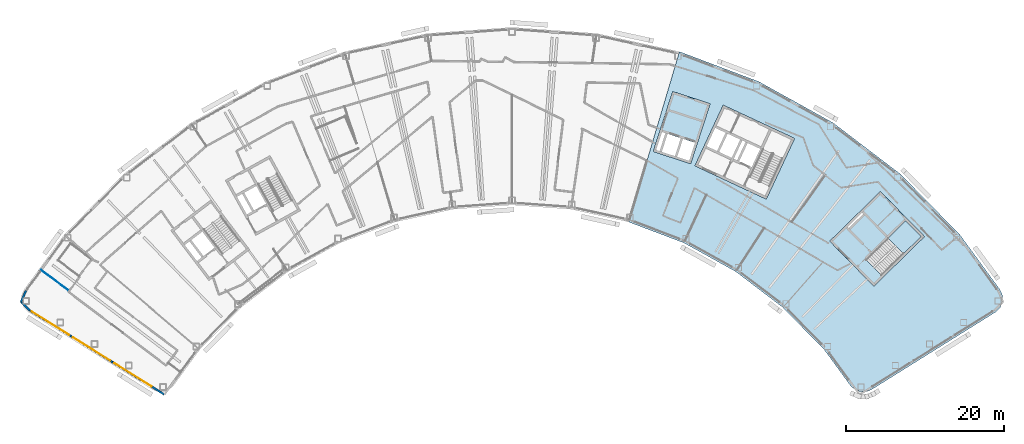
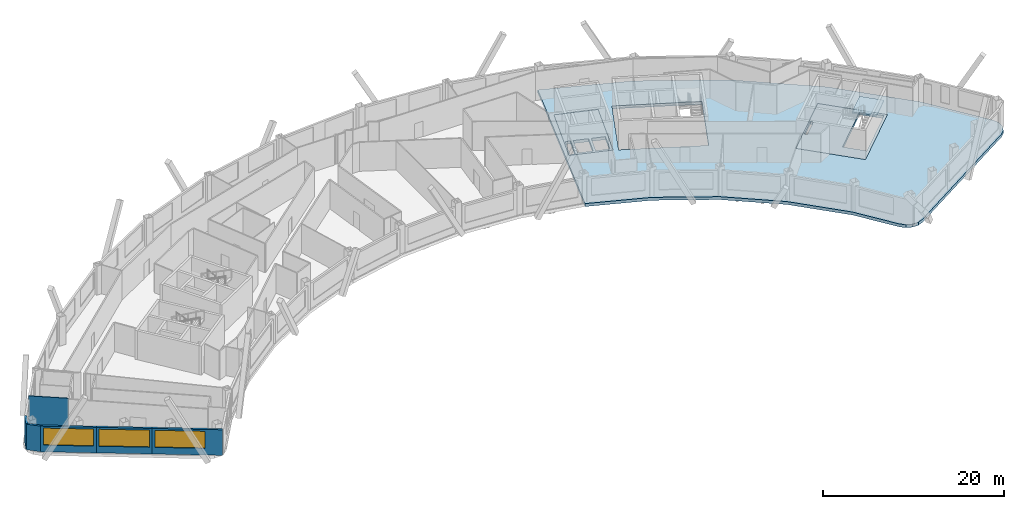
# One storey, part 4 of 13: 6 walls, 4 slabs, 3 windows, 3 openings, 1 element without a shape of its own.
"""IFC4 building model written with IfcOpenShell, lengths in metres."""

from ifc_helpers import new_model, si_unit, direction, frame, frame_2d, origin, place, context, subcontext, project, spatial, polyline, rectangle, outline, extrude, material, layer, layer_set, type_object, element, fill, aggregate, save


model = new_model("IFC4")

# Units and contexts
model_context = context("Model", 3, precision=1e-05, world=origin(), true_north=direction((0.0, 1.0)))
body_context = subcontext(model_context, "Body", "Model", "MODEL_VIEW")
ifc_project = project(units=[si_unit("LENGTHUNIT", "METRE"), si_unit("AREAUNIT", "SQUARE_METRE"), si_unit("VOLUMEUNIT", "CUBIC_METRE"), si_unit("PLANEANGLEUNIT", "RADIAN"), si_unit("MASSUNIT", "GRAM", prefix="KILO")], contexts=[model_context])

# Site, building, storey
site_placement = place(None, origin())
site = spatial("IfcSite", under=ifc_project, at=site_placement, CompositionType="ELEMENT")
building_placement = place(site_placement, origin())
building = spatial("IfcBuilding", under=site, at=building_placement, Name="Tuul Gate Civic Tower", CompositionType="ELEMENT")
storey_placement = place(building_placement, frame((0.0, 0.0, 319.699951171875)))
storey = spatial("IfcBuildingStorey", under=building, at=storey_placement, Name="Level 72", CompositionType="ELEMENT", Elevation=319.699951171875)

# Slabs
ifc_material_1 = material(Name="Concrete C40/50", Category="concrete")
ifc_layer_1 = layer(ifc_material_1, 0.39990234375)
ifc_layer_set_1 = layer_set([ifc_layer_1], Name="Concrete C40/50")
slab_type_1 = type_object("IfcSlabType", Name="Core floor slab 400", PredefinedType="FLOOR", material=ifc_layer_set_1)
slab_1_placement = place(storey_placement, frame((0.0, 0.0, -0.400146484375)))
element("IfcSlab", 1, at=slab_1_placement, inside=storey, type_object=slab_type_1, Name="FLOOR SLAB", PredefinedType="FLOOR", context=body_context, shape_type="SweptSolid", body=[
    extrude(outline(polyline([(48.117919921875, -18.43310546875), (54.545166015625, -12.1328125), (48.945068359375, -6.419921875), (42.517822265625, -12.719970703125), (48.117919921875, -18.43310546875)]), holes=[polyline([(44.93896484375, -11.046875), (46.760009765625, -9.261962890625), (46.514892578125, -9.011962890625), (44.69384765625, -10.797119140625), (44.93896484375, -11.046875)]), polyline([(49.086181640625, -17.062744140625), (47.12744140625, -15.064208984375), (52.160888671875, -10.130126953125), (54.11962890625, -12.128662109375), (49.086181640625, -17.062744140625)])]), origin(), (0.0, 0.0, 1.0), 0.400146484375),
])
ifc_material_2 = material(Name="Concrete C40/50", Category="concrete")
ifc_layer_2 = layer(ifc_material_2, 0.39990234375)
ifc_layer_set_2 = layer_set([ifc_layer_2], Name="Concrete C40/50")
slab_type_2 = type_object("IfcSlabType", Name="Core floor slab 400 non-bearing", PredefinedType="FLOOR", material=ifc_layer_set_2)
slab_2_placement = place(storey_placement, frame((0.0, 0.0, -0.400146484375)))
element("IfcSlab", 2, at=slab_2_placement, inside=storey, type_object=slab_type_2, Name="FLOOR SLAB", PredefinedType="FLOOR", context=body_context, shape_type="SweptSolid", body=[
    extrude(outline(polyline([(24.864990234375, -2.888916015625), (27.337890625, 4.71923828125), (22.58251953125, 6.264404296875), (20.109619140625, -1.343994140625), (24.864990234375, -2.888916015625)]), holes=[polyline([(24.67236328125, -2.510986328125), (25.414306640625, -0.228515625), (23.892578125, 0.265869140625), (23.150634765625, -2.0166015625), (24.67236328125, -2.510986328125)]), polyline([(22.865478515625, -1.923828125), (23.607177734375, 0.358642578125), (21.94287109375, 0.8994140625), (21.201171875, -1.383056640625), (22.865478515625, -1.923828125)]), polyline([(20.869384765625, -1.43310546875), (21.65771484375, 0.9921875), (21.0869140625, 1.177490234375), (20.298583984375, -1.24755859375), (20.869384765625, -1.43310546875)])]), origin(), (0.0, 0.0, 1.0), 0.400146484375),
])

# Stair, slab
ifc_material_3 = material(Name="Concrete C40/50", Category="concrete")
stair_type = type_object("IfcStairType", Name="Exit stair", PredefinedType="HALF_TURN_STAIR", material=ifc_material_3)
stair_placement = place(storey_placement, origin())
stair = element("IfcStair", 3, at=stair_placement, inside=storey, type_object=stair_type, Name="Level 72 ST-3", PredefinedType="HALF_TURN_STAIR")
ifc_material_4 = material(Name="Concrete C40/50", Category="concrete")
ifc_layer_3 = layer(ifc_material_4, 0.199951171875)
ifc_layer_set_3 = layer_set([ifc_layer_3], Name="Concrete C40/50")
slab_type_3 = type_object("IfcSlabType", Name="Exit stair landing", PredefinedType="LANDING", material=ifc_layer_set_3)
slab_3_placement = place(storey_placement, frame((0.0, 0.0, 1.900146484375)))
slab_3 = element("IfcSlab", 4, at=slab_3_placement, type_object=slab_type_3, Name="ST-3 landing 1", PredefinedType="LANDING", context=body_context, shape_type="SweptSolid", body=[
    extrude(outline(polyline([(51.871337890625, -14.3349609375), (49.91015625, -12.334228515625), (52.160888671875, -10.1279296875), (54.1220703125, -12.128662109375), (51.871337890625, -14.3349609375)])), origin(), (0.0, 0.0, 1.0), 0.199951171875),
])
aggregate(stair, [slab_3])

# Slab
ifc_material_5 = material(Name="Concrete C35/45", Category="concrete")
ifc_layer_4 = layer(ifc_material_5, 0.39990234375)
ifc_layer_set_4 = layer_set([ifc_layer_4], Name="Concrete C35/45")
slab_type_4 = type_object("IfcSlabType", Name="STR-FLOOR-SLAB-400", PredefinedType="FLOOR", material=ifc_layer_set_4)
slab_4_placement = place(storey_placement, frame((0.0, 0.0, -0.400146484375)))
element("IfcSlab", 5, at=slab_4_placement, inside=storey, type_object=slab_type_4, Name="Level 72/slab/E", PredefinedType="FLOOR", context=body_context, shape_type="SweptSolid", body=[
    extrude(outline(polyline([(47.1240234375, -31.830078125), (47.818115234375, -31.56005859375), (63.548095703125, -21.73095703125), (64.136962890625, -21.1669921875), (64.451904296875, -20.4140625), (64.43994140625, -19.597900390625), (64.10302734375, -18.85498046875), (59.02294921875, -11.89892578125), (51.488037109375, -4.2119140625), (42.923095703125, 2.30908203125), (33.509033203125, 7.528076171875), (23.43994140625, 11.3349609375), (17.006103515625, -10.287109375), (24.02587890625, -12.94189453125), (30.590087890625, -16.580078125), (36.56103515625, -21.1259765625), (41.81396484375, -26.486083984375), (45.14306640625, -31.0439453125), (45.68701171875, -31.552978515625), (46.37890625, -31.827880859375), (47.1240234375, -31.830078125)]), holes=[polyline([(48.117919921875, -18.43310546875), (42.51806640625, -12.719970703125), (48.945068359375, -6.419921875), (54.544921875, -12.133056640625), (48.117919921875, -18.43310546875)]), polyline([(25.402099609375, -3.159912109375), (28.993896484375, 4.5439453125), (38.056884765625, 0.318115234375), (34.465087890625, -7.385986328125), (25.402099609375, -3.159912109375)]), polyline([(20.110107421875, -1.343994140625), (22.58203125, 6.264892578125), (27.337890625, 4.719970703125), (24.864990234375, -2.888916015625), (20.110107421875, -1.343994140625)])]), origin(), (0.0, 0.0, 1.0), 0.400146484375),
])

# Walls
ifc_material_6 = material(Name="Precast concrete C40/50", Category="concrete")
ifc_layer_5 = layer(ifc_material_6, 0.25)
ifc_layer_set_5 = layer_set([ifc_layer_5], Name="Precast concrete C40/50")
wall_type_1 = type_object("IfcWallType", Name="External wall", PredefinedType="STANDARD", material=ifc_layer_set_5)
wall_1_placement = place(storey_placement, frame((-59.484130859375, -18.99560546875, 0.0), z_axis=(0.0, 0.0, 1.0), x_axis=(-0.413463423134, -0.910520728886, 0.0)))
element("IfcWall", 6, at=wall_1_placement, inside=storey, type_object=wall_type_1, Name="External wall", PredefinedType="STANDARD", context=body_context, shape_type="SweptSolid", body=[
    extrude(rectangle(XDim=1.5712890625, YDim=0.25, at=frame_2d((0.78564453125, 0.0))), origin(), (0.0, 0.0, 1.0), 3.449951171875),
])
wall_2_placement = place(storey_placement, frame((-60.1337890625, -20.42626953125, 0.0), z_axis=(0.0, 0.0, 1.0), x_axis=(0.722162740816, -0.691723193031, 0.0)))
element("IfcWall", 7, at=wall_2_placement, inside=storey, type_object=wall_type_1, Name="External wall", PredefinedType="STANDARD", context=body_context, shape_type="SweptSolid", body=[
    extrude(rectangle(XDim=1.572021484375, YDim=0.25, at=frame_2d((0.7861328125, 0.0))), origin(), (0.0, 0.0, 1.0), 3.449951171875),
])

# Wall, opening, window
wall_3_placement = place(storey_placement, frame((-59.018798828125, -21.498046875, 0.0), z_axis=(0.0, 0.0, 1.0), x_axis=(0.848053758074, -0.529910203164, 0.0)))
wall_3 = element("IfcWall", 8, at=wall_3_placement, inside=storey, type_object=wall_type_1, Name="External wall", PredefinedType="STANDARD", context=body_context, shape_type="SweptSolid", body=[
    extrude(rectangle(XDim=6.182861328125, YDim=0.25, at=frame_2d((3.09130859375, 0.0))), origin(), (0.0, 0.0, 1.0), 3.449951171875),
])
opening_1_placement = place(wall_3_placement, frame((0.31640625, 0.0, 0.89990234375)))
opening_1 = element("IfcOpeningElement", 9, at=opening_1_placement, cuts=wall_3, Name="Opening W24", PredefinedType="OPENING", context=body_context, shape_type="SweptSolid", body=[
    extrude(rectangle(XDim=5.550048828125, YDim=2.300048828125, at=frame_2d((2.77490234375, 1.14990234375))), frame((0.0, 0.135009765625, 0.0), z_axis=(0.0, -1.0, 0.0), x_axis=(1.0, 0.0, 0.0)), (0.0, 0.0, 1.0), 0.27001953125),
])
ifc_material_7 = material(Name="Glass", Category="glass")
window_type = type_object("IfcWindowType", Name="Window W24 5550 x 2300", PartitioningType="SINGLE_PANEL", PredefinedType="WINDOW", material=ifc_material_7)
window_1_placement = place(opening_1_placement, origin())
window_1 = element("IfcWindow", 10, at=window_1_placement, inside=storey, type_object=window_type, Name="Window", OverallHeight=2.300048828125, OverallWidth=5.550048828125, PartitioningType="SINGLE_PANEL", PredefinedType="WINDOW", context=body_context, shape_type="SweptSolid", body=[
    extrude(rectangle(XDim=5.550048828125, YDim=2.300048828125, at=frame_2d((2.77490234375, 1.14990234375))), frame((0.0, 0.030029296875, 0.0), z_axis=(0.0, -1.0, 0.0), x_axis=(1.0, 0.0, 0.0)), (0.0, 0.0, 1.0), 0.06005859375),
])
fill(opening_1, window_1)

wall_4_placement = place(storey_placement, frame((-53.775390625, -24.7744140625, 0.0), z_axis=(0.0, 0.0, 1.0), x_axis=(0.848053758074, -0.529910203164, 0.0)))
wall_4 = element("IfcWall", 11, at=wall_4_placement, inside=storey, type_object=wall_type_1, Name="External wall", PredefinedType="STANDARD", context=body_context, shape_type="SweptSolid", body=[
    extrude(rectangle(XDim=6.182861328125, YDim=0.25, at=frame_2d((3.09130859375, 0.0))), origin(), (0.0, 0.0, 1.0), 3.449951171875),
])
opening_2_placement = place(wall_4_placement, frame((0.31640625, 0.0, 0.89990234375)))
opening_2 = element("IfcOpeningElement", 12, at=opening_2_placement, cuts=wall_4, Name="Opening W24", PredefinedType="OPENING", context=body_context, shape_type="SweptSolid", body=[
    extrude(rectangle(XDim=5.550048828125, YDim=2.300048828125, at=frame_2d((2.77490234375, 1.14990234375))), frame((0.0, 0.135009765625, 0.0), z_axis=(0.0, -1.0, 0.0), x_axis=(1.0, 0.0, 0.0)), (0.0, 0.0, 1.0), 0.27001953125),
])
window_2_placement = place(opening_2_placement, origin())
window_2 = element("IfcWindow", 13, at=window_2_placement, inside=storey, type_object=window_type, Name="Window", OverallHeight=2.300048828125, OverallWidth=5.550048828125, PartitioningType="SINGLE_PANEL", PredefinedType="WINDOW", context=body_context, shape_type="SweptSolid", body=[
    extrude(rectangle(XDim=5.550048828125, YDim=2.300048828125, at=frame_2d((2.77490234375, 1.14990234375))), frame((0.0, 0.030029296875, 0.0), z_axis=(0.0, -1.0, 0.0), x_axis=(1.0, 0.0, 0.0)), (0.0, 0.0, 1.0), 0.06005859375),
])
fill(opening_2, window_2)

wall_5_placement = place(storey_placement, frame((-48.531982421875, -28.05078125, 0.0), z_axis=(0.0, 0.0, 1.0), x_axis=(0.848061701049, -0.529897491233, 0.0)))
wall_5 = element("IfcWall", 14, at=wall_5_placement, inside=storey, type_object=wall_type_1, Name="External wall", PredefinedType="STANDARD", context=body_context, shape_type="SweptSolid", body=[
    extrude(rectangle(XDim=7.787841796875, YDim=0.25, at=frame_2d((3.89404296875, 0.0))), origin(), (0.0, 0.0, 1.0), 3.449951171875),
])
opening_3_placement = place(wall_5_placement, frame((0.31640625, 0.0, 0.89990234375)))
opening_3 = element("IfcOpeningElement", 15, at=opening_3_placement, cuts=wall_5, Name="Opening W24", PredefinedType="OPENING", context=body_context, shape_type="SweptSolid", body=[
    extrude(rectangle(XDim=5.550048828125, YDim=2.300048828125, at=frame_2d((2.77490234375, 1.14990234375))), frame((0.0, 0.135009765625, 0.0), z_axis=(0.0, -1.0, 0.0), x_axis=(1.0, 0.0, 0.0)), (0.0, 0.0, 1.0), 0.27001953125),
])
window_3_placement = place(opening_3_placement, origin())
window_3 = element("IfcWindow", 16, at=window_3_placement, inside=storey, type_object=window_type, Name="Window", OverallHeight=2.300048828125, OverallWidth=5.550048828125, PartitioningType="SINGLE_PANEL", PredefinedType="WINDOW", context=body_context, shape_type="SweptSolid", body=[
    extrude(rectangle(XDim=5.550048828125, YDim=2.300048828125, at=frame_2d((2.77490234375, 1.14990234375))), frame((0.0, 0.030029296875, 0.0), z_axis=(0.0, -1.0, 0.0), x_axis=(1.0, 0.0, 0.0)), (0.0, 0.0, 1.0), 0.06005859375),
])
fill(opening_3, window_3)

# Wall
ifc_material_8 = material(Name="Gypsum board partition")
ifc_layer_6 = layer(ifc_material_8, 0.10009765625)
ifc_layer_set_6 = layer_set([ifc_layer_6], Name="Gypsum board partition")
wall_type_2 = type_object("IfcWallType", Name="Partition P100", PredefinedType="PARTITIONING", material=ifc_layer_set_6)
wall_6_placement = place(storey_placement, frame((-57.594970703125, -16.40478515625, 0.0), z_axis=(0.0, 0.0, 1.0), x_axis=(0.807564402397, -0.58977939603, 0.0)))
element("IfcWall", 17, at=wall_6_placement, inside=storey, type_object=wall_type_2, Name="p044", PredefinedType="PARTITIONING", context=body_context, shape_type="SweptSolid", body=[
    extrude(rectangle(XDim=4.439208984375, YDim=0.10009765625, at=frame_2d((2.2197265625, 0.0))), origin(), (0.0, 0.0, 1.0), 3.900146484375),
])

save(model, "model.ifc")
